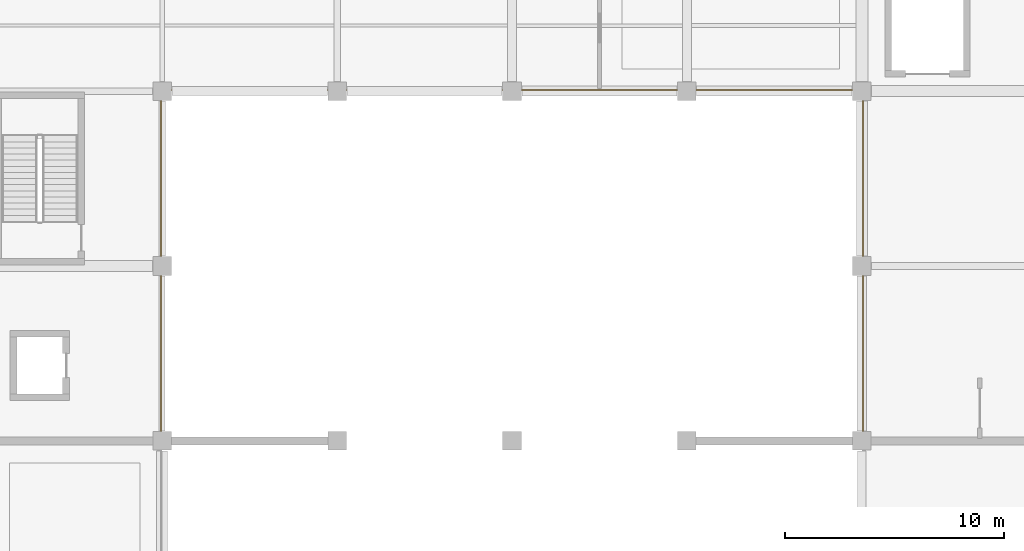
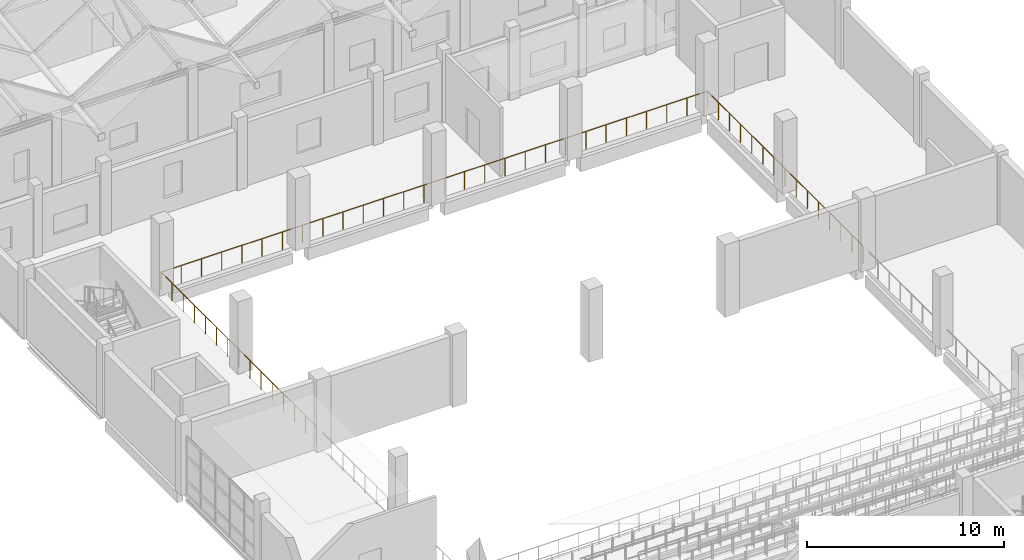
# One storey, part 174 of 183: 1 railing.
"""IFC4 building model written with IfcOpenShell, lengths in metres."""

from ifc_helpers import new_model, si_unit, direction, frame, origin, origin_2d, place, context, subcontext, project, spatial, circle, extrude, material, type_object, element, save


model = new_model("IFC4")

# Units and contexts
model_context = context("Model", 3, precision=1e-05, world=origin(), true_north=direction((0.0, 1.0)))
body_context = subcontext(model_context, "Body", "Model", "MODEL_VIEW")
ifc_project = project(units=[si_unit("LENGTHUNIT", "METRE"), si_unit("AREAUNIT", "SQUARE_METRE"), si_unit("VOLUMEUNIT", "CUBIC_METRE"), si_unit("PLANEANGLEUNIT", "RADIAN"), si_unit("MASSUNIT", "GRAM", prefix="KILO")], contexts=[model_context])

# Site, building, storey
site_placement = place(None, origin())
site = spatial("IfcSite", under=ifc_project, at=site_placement, CompositionType="ELEMENT")
building_placement = place(site_placement, origin())
building = spatial("IfcBuilding", under=site, at=building_placement, Name="Luwemba Playhouse", CompositionType="ELEMENT")
storey_placement = place(building_placement, frame((0.0, 0.0, 4.800048828125)))
storey = spatial("IfcBuildingStorey", under=building, at=storey_placement, Name="L01", CompositionType="ELEMENT", Elevation=4.800048828125)

# Railing
ifc_material = material(Name="Painted wrought-iron gallery balustrade", Category="steel")
railing_type = type_object("IfcRailingType", Name="RLG-BAL-INT", PredefinedType="BALUSTRADE", material=ifc_material)
railing_placement = place(storey_placement, frame((11.949951171875, 68.199951171875, 0.0)))
element("IfcRailing", 1, at=railing_placement, inside=storey, type_object=railing_type, Name="L01 V2 gallery void balustrade 003", PredefinedType="BALUSTRADE", context=body_context, shape_type="SweptSolid", body=[
    extrude(circle(Radius=0.02392578125, at=origin_2d()), frame((0.0, 0.0, 1.09619140625), z_axis=(0.0, 1.0, 0.0), x_axis=(-1.0, 0.0, 0.0)), (0.0, 0.0, 1.0), 15.85009765625),
    extrude(circle(Radius=0.02392578125, at=origin_2d()), frame((0.0, 15.85009765625, 1.09619140625), z_axis=(1.0, 0.0, 0.0), x_axis=(0.0, 1.0, 0.0)), (0.0, 0.0, 1.0), 32.10009765625),
    extrude(circle(Radius=0.02392578125, at=origin_2d()), frame((32.10009765625, 15.85009765625, 1.09619140625), z_axis=(0.0, -1.0, 0.0), x_axis=(1.0, 0.0, 0.0)), (0.0, 0.0, 1.0), 15.85009765625),
    extrude(circle(Radius=0.02099609375, at=origin_2d()), origin(), (0.0, 0.0, 1.0), 1.072021484375),
    extrude(circle(Radius=0.02099609375, at=origin_2d()), frame((0.0, 1.132080078125, 0.0)), (0.0, 0.0, 1.0), 1.072021484375),
    extrude(circle(Radius=0.02099609375, at=origin_2d()), frame((0.0, 2.264404296875, 0.0)), (0.0, 0.0, 1.0), 1.072021484375),
    extrude(circle(Radius=0.02099609375, at=origin_2d()), frame((0.0, 3.396484375, 0.0)), (0.0, 0.0, 1.0), 1.072021484375),
    extrude(circle(Radius=0.02099609375, at=origin_2d()), frame((0.0, 4.528564453125, 0.0)), (0.0, 0.0, 1.0), 1.072021484375),
    extrude(circle(Radius=0.02099609375, at=origin_2d()), frame((0.0, 5.66064453125, 0.0)), (0.0, 0.0, 1.0), 1.072021484375),
    extrude(circle(Radius=0.02099609375, at=origin_2d()), frame((0.0, 6.79296875, 0.0)), (0.0, 0.0, 1.0), 1.072021484375),
    extrude(circle(Radius=0.02099609375, at=origin_2d()), frame((0.0, 7.925048828125, 0.0)), (0.0, 0.0, 1.0), 1.072021484375),
    extrude(circle(Radius=0.02099609375, at=origin_2d()), frame((0.0, 9.05712890625, 0.0)), (0.0, 0.0, 1.0), 1.072021484375),
    extrude(circle(Radius=0.02099609375, at=origin_2d()), frame((0.0, 10.189453125, 0.0)), (0.0, 0.0, 1.0), 1.072021484375),
    extrude(circle(Radius=0.02099609375, at=origin_2d()), frame((0.0, 11.321533203125, 0.0)), (0.0, 0.0, 1.0), 1.072021484375),
    extrude(circle(Radius=0.02099609375, at=origin_2d()), frame((0.0, 12.45361328125, 0.0)), (0.0, 0.0, 1.0), 1.072021484375),
    extrude(circle(Radius=0.02099609375, at=origin_2d()), frame((0.0, 13.585693359375, 0.0)), (0.0, 0.0, 1.0), 1.072021484375),
    extrude(circle(Radius=0.02099609375, at=origin_2d()), frame((0.0, 14.718017578125, 0.0)), (0.0, 0.0, 1.0), 1.072021484375),
    extrude(circle(Radius=0.02099609375, at=origin_2d()), frame((0.0, 15.85009765625, 0.0)), (0.0, 0.0, 1.0), 1.072021484375),
    extrude(circle(Radius=0.02099609375, at=origin_2d()), frame((1.18896484375, 15.85009765625, 0.0)), (0.0, 0.0, 1.0), 1.072021484375),
    extrude(circle(Radius=0.02099609375, at=origin_2d()), frame((2.377685546875, 15.85009765625, 0.0)), (0.0, 0.0, 1.0), 1.072021484375),
    extrude(circle(Radius=0.02099609375, at=origin_2d()), frame((3.566650390625, 15.85009765625, 0.0)), (0.0, 0.0, 1.0), 1.072021484375),
    extrude(circle(Radius=0.02099609375, at=origin_2d()), frame((4.755615234375, 15.85009765625, 0.0)), (0.0, 0.0, 1.0), 1.072021484375),
    extrude(circle(Radius=0.02099609375, at=origin_2d()), frame((5.944580078125, 15.85009765625, 0.0)), (0.0, 0.0, 1.0), 1.072021484375),
    extrude(circle(Radius=0.02099609375, at=origin_2d()), frame((7.13330078125, 15.85009765625, 0.0)), (0.0, 0.0, 1.0), 1.072021484375),
    extrude(circle(Radius=0.02099609375, at=origin_2d()), frame((8.322265625, 15.85009765625, 0.0)), (0.0, 0.0, 1.0), 1.072021484375),
    extrude(circle(Radius=0.02099609375, at=origin_2d()), frame((9.51123046875, 15.85009765625, 0.0)), (0.0, 0.0, 1.0), 1.072021484375),
    extrude(circle(Radius=0.02099609375, at=origin_2d()), frame((10.699951171875, 15.85009765625, 0.0)), (0.0, 0.0, 1.0), 1.072021484375),
    extrude(circle(Radius=0.02099609375, at=origin_2d()), frame((11.888916015625, 15.85009765625, 0.0)), (0.0, 0.0, 1.0), 1.072021484375),
    extrude(circle(Radius=0.02099609375, at=origin_2d()), frame((13.077880859375, 15.85009765625, 0.0)), (0.0, 0.0, 1.0), 1.072021484375),
    extrude(circle(Radius=0.02099609375, at=origin_2d()), frame((14.2666015625, 15.85009765625, 0.0)), (0.0, 0.0, 1.0), 1.072021484375),
    extrude(circle(Radius=0.02099609375, at=origin_2d()), frame((15.45556640625, 15.85009765625, 0.0)), (0.0, 0.0, 1.0), 1.072021484375),
    extrude(circle(Radius=0.02099609375, at=origin_2d()), frame((16.64453125, 15.85009765625, 0.0)), (0.0, 0.0, 1.0), 1.072021484375),
    extrude(circle(Radius=0.02099609375, at=origin_2d()), frame((17.83349609375, 15.85009765625, 0.0)), (0.0, 0.0, 1.0), 1.072021484375),
    extrude(circle(Radius=0.02099609375, at=origin_2d()), frame((19.022216796875, 15.85009765625, 0.0)), (0.0, 0.0, 1.0), 1.072021484375),
    extrude(circle(Radius=0.02099609375, at=origin_2d()), frame((20.211181640625, 15.85009765625, 0.0)), (0.0, 0.0, 1.0), 1.072021484375),
    extrude(circle(Radius=0.02099609375, at=origin_2d()), frame((21.400146484375, 15.85009765625, 0.0)), (0.0, 0.0, 1.0), 1.072021484375),
    extrude(circle(Radius=0.02099609375, at=origin_2d()), frame((22.5888671875, 15.85009765625, 0.0)), (0.0, 0.0, 1.0), 1.072021484375),
    extrude(circle(Radius=0.02099609375, at=origin_2d()), frame((23.77783203125, 15.85009765625, 0.0)), (0.0, 0.0, 1.0), 1.072021484375),
    extrude(circle(Radius=0.02099609375, at=origin_2d()), frame((24.966796875, 15.85009765625, 0.0)), (0.0, 0.0, 1.0), 1.072021484375),
    extrude(circle(Radius=0.02099609375, at=origin_2d()), frame((26.155517578125, 15.85009765625, 0.0)), (0.0, 0.0, 1.0), 1.072021484375),
    extrude(circle(Radius=0.02099609375, at=origin_2d()), frame((27.344482421875, 15.85009765625, 0.0)), (0.0, 0.0, 1.0), 1.072021484375),
    extrude(circle(Radius=0.02099609375, at=origin_2d()), frame((28.533447265625, 15.85009765625, 0.0)), (0.0, 0.0, 1.0), 1.072021484375),
    extrude(circle(Radius=0.02099609375, at=origin_2d()), frame((29.722412109375, 15.85009765625, 0.0)), (0.0, 0.0, 1.0), 1.072021484375),
    extrude(circle(Radius=0.02099609375, at=origin_2d()), frame((30.9111328125, 15.85009765625, 0.0)), (0.0, 0.0, 1.0), 1.072021484375),
    extrude(circle(Radius=0.02099609375, at=origin_2d()), frame((32.10009765625, 15.85009765625, 0.0)), (0.0, 0.0, 1.0), 1.072021484375),
    extrude(circle(Radius=0.02099609375, at=origin_2d()), frame((32.10009765625, 14.718017578125, 0.0)), (0.0, 0.0, 1.0), 1.072021484375),
    extrude(circle(Radius=0.02099609375, at=origin_2d()), frame((32.10009765625, 13.585693359375, 0.0)), (0.0, 0.0, 1.0), 1.072021484375),
    extrude(circle(Radius=0.02099609375, at=origin_2d()), frame((32.10009765625, 12.45361328125, 0.0)), (0.0, 0.0, 1.0), 1.072021484375),
    extrude(circle(Radius=0.02099609375, at=origin_2d()), frame((32.10009765625, 11.321533203125, 0.0)), (0.0, 0.0, 1.0), 1.072021484375),
    extrude(circle(Radius=0.02099609375, at=origin_2d()), frame((32.10009765625, 10.189453125, 0.0)), (0.0, 0.0, 1.0), 1.072021484375),
    extrude(circle(Radius=0.02099609375, at=origin_2d()), frame((32.10009765625, 9.05712890625, 0.0)), (0.0, 0.0, 1.0), 1.072021484375),
    extrude(circle(Radius=0.02099609375, at=origin_2d()), frame((32.10009765625, 7.925048828125, 0.0)), (0.0, 0.0, 1.0), 1.072021484375),
    extrude(circle(Radius=0.02099609375, at=origin_2d()), frame((32.10009765625, 6.79296875, 0.0)), (0.0, 0.0, 1.0), 1.072021484375),
    extrude(circle(Radius=0.02099609375, at=origin_2d()), frame((32.10009765625, 5.66064453125, 0.0)), (0.0, 0.0, 1.0), 1.072021484375),
    extrude(circle(Radius=0.02099609375, at=origin_2d()), frame((32.10009765625, 4.528564453125, 0.0)), (0.0, 0.0, 1.0), 1.072021484375),
    extrude(circle(Radius=0.02099609375, at=origin_2d()), frame((32.10009765625, 3.396484375, 0.0)), (0.0, 0.0, 1.0), 1.072021484375),
    extrude(circle(Radius=0.02099609375, at=origin_2d()), frame((32.10009765625, 2.264404296875, 0.0)), (0.0, 0.0, 1.0), 1.072021484375),
    extrude(circle(Radius=0.02099609375, at=origin_2d()), frame((32.10009765625, 1.132080078125, 0.0)), (0.0, 0.0, 1.0), 1.072021484375),
    extrude(circle(Radius=0.02099609375, at=origin_2d()), frame((32.10009765625, 0.0, 0.0)), (0.0, 0.0, 1.0), 1.072021484375),
])

save(model, "model.ifc")
